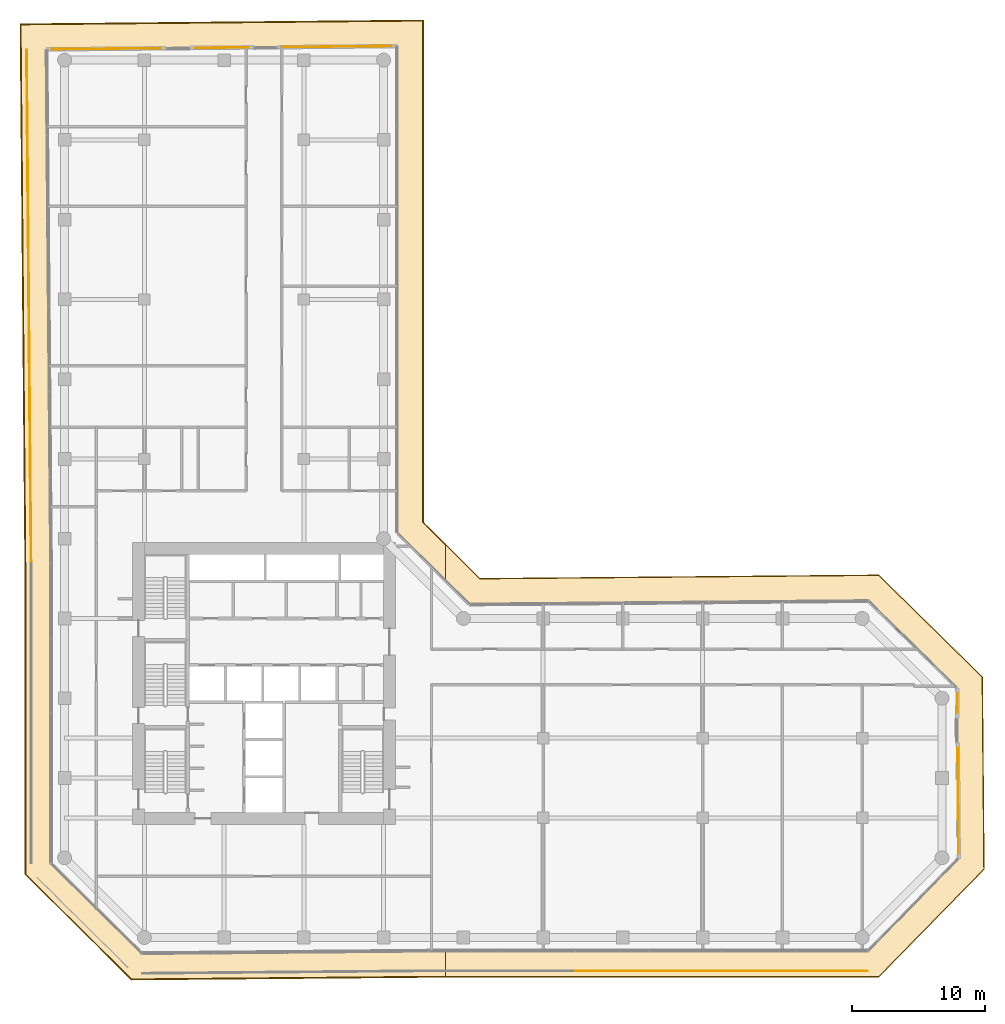
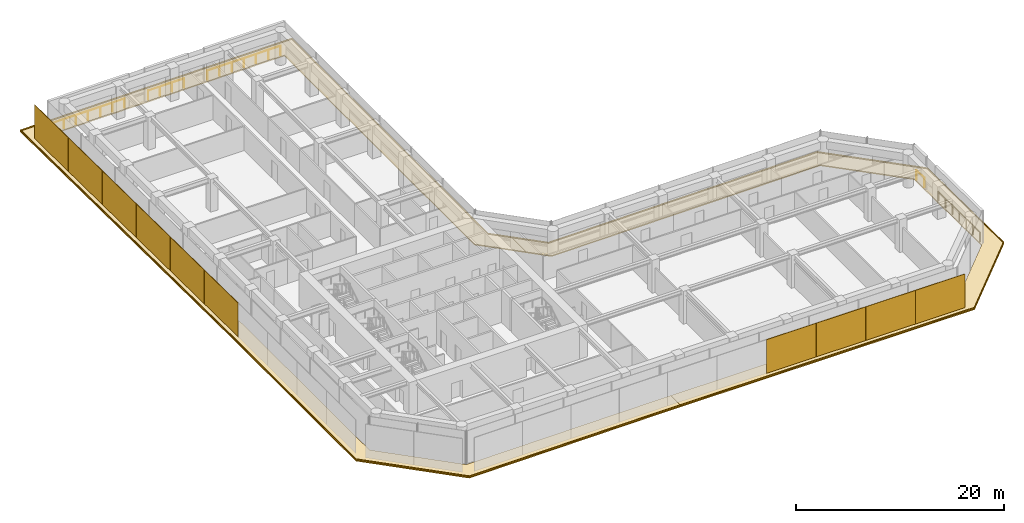
# One storey, part 28 of 28: 14 coverings, 5 railings.
"""IFC4 building model written with IfcOpenShell, lengths in metres."""

from ifc_helpers import new_model, si_unit, direction, frame, origin, origin_2d, place, context, subcontext, project, spatial, polyline, rectangle, circle, outline, extrude, material, layer, layer_set, type_object, element, save


model = new_model("IFC4")

# Units and contexts
model_context = context("Model", 3, precision=1e-05, world=origin(), true_north=direction((0.0, 1.0)))
body_context = subcontext(model_context, "Body", "Model", "MODEL_VIEW")
ifc_project = project(units=[si_unit("LENGTHUNIT", "METRE"), si_unit("AREAUNIT", "SQUARE_METRE"), si_unit("VOLUMEUNIT", "CUBIC_METRE"), si_unit("PLANEANGLEUNIT", "RADIAN"), si_unit("MASSUNIT", "GRAM", prefix="KILO")], contexts=[model_context])

# Site, building, storey
site_placement = place(None, origin())
site = spatial("IfcSite", under=ifc_project, at=site_placement, CompositionType="ELEMENT")
building_placement = place(site_placement, origin())
building = spatial("IfcBuilding", under=site, at=building_placement, Name="Welwitschia Terrace Campus", CompositionType="ELEMENT")
storey_placement = place(building_placement, frame((0.0, 0.0, 54.199951171875)))
storey = spatial("IfcBuildingStorey", under=building, at=storey_placement, Name="L12", CompositionType="ELEMENT", Elevation=54.199951171875)

# Coverings
ifc_material_1 = material(Name="Bronze mesh aluminium screen", Category="aluminium")
ifc_layer_1 = layer(ifc_material_1, 0.06005859375)
ifc_layer_set_1 = layer_set([ifc_layer_1], Name="Bronze mesh aluminium screen")
covering_type_1 = type_object("IfcCoveringType", Name="Bronze screen 60", PredefinedType="USERDEFINED", material=ifc_layer_set_1)
for number, where, z_axis, x_axis, name in (
    (1, (-2.8251953125, 59.575927734375, 0.0), (0.0, 0.0, 1.0), (0.008726535498, -0.999961923064, 0.0), "Screen L12.0.0"),
    (2, (-2.768798828125, 53.134521484375, 0.0), (0.0, 0.0, 1.0), (0.008726535498, -0.999961923064, 0.0), "Screen L12.0.1"),
    (3, (-2.712646484375, 46.693359375, 0.0), (0.0, 0.0, 1.0), (0.008726535498, -0.999961923064, 0.0), "Screen L12.0.2"),
    (4, (-2.656494140625, 40.251953125, 0.0), (0.0, 0.0, 1.0), (0.008726535498, -0.999961923064, 0.0), "Screen L12.0.3"),
    (5, (-2.600341796875, 33.810791015625, 0.0), (0.0, 0.0, 1.0), (0.008726535498, -0.999961923064, 0.0), "Screen L12.0.4"),
    (6, (-2.544189453125, 27.369384765625, 0.0), (0.0, 0.0, 1.0), (0.008726535498, -0.999961923064, 0.0), "Screen L12.0.5"),
):
    element("IfcCovering", number, at=place(storey_placement, frame(where, z_axis=z_axis, x_axis=x_axis)), inside=storey, type_object=covering_type_1, Name=name, ObjectType="SCREEN", PredefinedType="USERDEFINED", context=body_context, shape_type="SweptSolid", body=[
        extrude(rectangle(XDim=6.42138671875, YDim=0.06005859375, at=origin_2d()), origin(), (0.0, 0.0, 1.0), 3.949951171875),
    ])
for number, where, z_axis, x_axis, name in (
    (7, (41.1640625, -6.51611328125, 0.0), (0.0, 0.0, 1.0), (1.0, 0.0, 0.0), "Screen L12.4.2"),
    (8, (46.671142578125, -6.51611328125, 0.0), (0.0, 0.0, 1.0), (1.0, 0.0, 0.0), "Screen L12.4.3"),
    (9, (52.177978515625, -6.51611328125, 0.0), (0.0, 0.0, 1.0), (1.0, 0.0, 0.0), "Screen L12.4.4"),
    (10, (57.68505859375, -6.51611328125, 0.0), (0.0, 0.0, 1.0), (1.0, 0.0, 0.0), "Screen L12.4.5"),
):
    element("IfcCovering", number, at=place(storey_placement, frame(where, z_axis=z_axis, x_axis=x_axis)), inside=storey, type_object=covering_type_1, Name=name, ObjectType="SCREEN", PredefinedType="USERDEFINED", context=body_context, shape_type="SweptSolid", body=[
        extrude(rectangle(XDim=5.487060546875, YDim=0.06005859375, at=origin_2d()), origin(), (0.0, 0.0, 1.0), 3.949951171875),
    ])

# Railings
ifc_material_2 = material(Name="Stainless steel grade 316", Category="steel")
railing_type = type_object("IfcRailingType", Name="Guard 1100", PredefinedType="GUARDRAIL", material=ifc_material_2)
railing_1_placement = place(storey_placement, frame((-0.9453125, 62.8134765625, 0.0)))
element("IfcRailing", 11, at=railing_1_placement, inside=storey, type_object=railing_type, Name="Guard floor edge L12.0", PredefinedType="GUARDRAIL", context=body_context, shape_type="SweptSolid", body=[
    extrude(circle(Radius=0.02392578125, at=origin_2d()), frame((0.0, 0.0, 1.076171875), z_axis=(0.999955559063, 0.009427613693, 0.0), x_axis=(-0.009427613693, 0.999955559063, 0.0)), (0.0, 0.0, 1.0), 8.1572265625),
    extrude(circle(Radius=0.02099609375, at=origin_2d()), origin(), (0.0, 0.0, 1.0), 1.052001953125),
    extrude(circle(Radius=0.02099609375, at=origin_2d()), frame((1.359375, 0.0126953125, 0.0)), (0.0, 0.0, 1.0), 1.052001953125),
    extrude(circle(Radius=0.02099609375, at=origin_2d()), frame((2.718994140625, 0.025634765625, 0.0)), (0.0, 0.0, 1.0), 1.052001953125),
    extrude(circle(Radius=0.02099609375, at=origin_2d()), frame((4.07861328125, 0.03857421875, 0.0)), (0.0, 0.0, 1.0), 1.052001953125),
    extrude(circle(Radius=0.02099609375, at=origin_2d()), frame((5.43798828125, 0.05126953125, 0.0)), (0.0, 0.0, 1.0), 1.052001953125),
    extrude(circle(Radius=0.02099609375, at=origin_2d()), frame((6.79736328125, 0.06396484375, 0.0)), (0.0, 0.0, 1.0), 1.052001953125),
    extrude(circle(Radius=0.02099609375, at=origin_2d()), frame((8.156982421875, 0.076904296875, 0.0)), (0.0, 0.0, 1.0), 1.052001953125),
])
railing_2_placement = place(storey_placement, frame((9.837646484375, 62.9150390625, 0.0)))
element("IfcRailing", 12, at=railing_2_placement, inside=storey, type_object=railing_type, Name="Guard floor edge L12.1", PredefinedType="GUARDRAIL", context=body_context, shape_type="SweptSolid", body=[
    extrude(circle(Radius=0.02392578125, at=origin_2d()), frame((0.0, 0.0, 1.076171875), z_axis=(0.99995555217, 0.009428344764, 0.0), x_axis=(-0.009428344764, 0.99995555217, 0.0)), (0.0, 0.0, 1.0), 3.98779296875),
    extrude(circle(Radius=0.02099609375, at=origin_2d()), origin(), (0.0, 0.0, 1.0), 1.052001953125),
    extrude(circle(Radius=0.02099609375, at=origin_2d()), frame((1.3291015625, 0.012451171875, 0.0)), (0.0, 0.0, 1.0), 1.052001953125),
    extrude(circle(Radius=0.02099609375, at=origin_2d()), frame((2.658447265625, 0.025146484375, 0.0)), (0.0, 0.0, 1.0), 1.052001953125),
    extrude(circle(Radius=0.02099609375, at=origin_2d()), frame((3.987548828125, 0.03759765625, 0.0)), (0.0, 0.0, 1.0), 1.052001953125),
])
railing_3_placement = place(storey_placement, frame((16.450927734375, 62.977294921875, 0.0)))
element("IfcRailing", 13, at=railing_3_placement, inside=storey, type_object=railing_type, Name="Guard floor edge L12.2", PredefinedType="GUARDRAIL", context=body_context, shape_type="SweptSolid", body=[
    extrude(circle(Radius=0.02392578125, at=origin_2d()), frame((0.0, 0.0, 1.076171875), z_axis=(0.999955540436, 0.009429589128, 0.0), x_axis=(-0.009429589128, 0.999955540436, 0.0)), (0.0, 0.0, 1.0), 8.155517578125),
    extrude(circle(Radius=0.02099609375, at=origin_2d()), origin(), (0.0, 0.0, 1.0), 1.052001953125),
    extrude(circle(Radius=0.02099609375, at=origin_2d()), frame((1.359130859375, 0.0126953125, 0.0)), (0.0, 0.0, 1.0), 1.052001953125),
    extrude(circle(Radius=0.02099609375, at=origin_2d()), frame((2.718505859375, 0.025634765625, 0.0)), (0.0, 0.0, 1.0), 1.052001953125),
    extrude(circle(Radius=0.02099609375, at=origin_2d()), frame((4.07763671875, 0.03857421875, 0.0)), (0.0, 0.0, 1.0), 1.052001953125),
    extrude(circle(Radius=0.02099609375, at=origin_2d()), frame((5.436767578125, 0.05126953125, 0.0)), (0.0, 0.0, 1.0), 1.052001953125),
    extrude(circle(Radius=0.02099609375, at=origin_2d()), frame((6.796142578125, 0.06396484375, 0.0)), (0.0, 0.0, 1.0), 1.052001953125),
    extrude(circle(Radius=0.02099609375, at=origin_2d()), frame((8.1552734375, 0.076904296875, 0.0)), (0.0, 0.0, 1.0), 1.052001953125),
])
railing_4_placement = place(storey_placement, frame((67.14599609375, 14.372802734375, 0.0)))
element("IfcRailing", 14, at=railing_4_placement, inside=storey, type_object=railing_type, Name="Guard floor edge L12.3", PredefinedType="GUARDRAIL", context=body_context, shape_type="SweptSolid", body=[
    extrude(circle(Radius=0.02392578125, at=origin_2d()), frame((0.0, 0.0, 1.076171875), z_axis=(0.00866688625, -0.999962441836, 0.0), x_axis=(0.999962441836, 0.00866688625, 0.0)), (0.0, 0.0, 1.0), 1.492919921875),
    extrude(circle(Radius=0.02099609375, at=origin_2d()), origin(), (0.0, 0.0, 1.0), 1.052001953125),
    extrude(circle(Radius=0.02099609375, at=origin_2d()), frame((0.012939453125, -1.492919921875, 0.0)), (0.0, 0.0, 1.0), 1.052001953125),
])
railing_5_placement = place(storey_placement, frame((67.181884765625, 10.25390625, 0.0)))
element("IfcRailing", 15, at=railing_5_placement, inside=storey, type_object=railing_type, Name="Guard floor edge L12.4", PredefinedType="GUARDRAIL", context=body_context, shape_type="SweptSolid", body=[
    extrude(circle(Radius=0.02392578125, at=origin_2d()), frame((0.0, 0.0, 1.076171875), z_axis=(0.008742162456, -0.999961786568, 0.0), x_axis=(0.999961786568, 0.008742162456, 0.0)), (0.0, 0.0, 1.0), 7.93115234375),
    extrude(circle(Radius=0.02099609375, at=origin_2d()), origin(), (0.0, 0.0, 1.0), 1.052001953125),
    extrude(circle(Radius=0.02099609375, at=origin_2d()), frame((0.011474609375, -1.32177734375, 0.0)), (0.0, 0.0, 1.0), 1.052001953125),
    extrude(circle(Radius=0.02099609375, at=origin_2d()), frame((0.023193359375, -2.6435546875, 0.0)), (0.0, 0.0, 1.0), 1.052001953125),
    extrude(circle(Radius=0.02099609375, at=origin_2d()), frame((0.03466796875, -3.96533203125, 0.0)), (0.0, 0.0, 1.0), 1.052001953125),
    extrude(circle(Radius=0.02099609375, at=origin_2d()), frame((0.046142578125, -5.287353515625, 0.0)), (0.0, 0.0, 1.0), 1.052001953125),
    extrude(circle(Radius=0.02099609375, at=origin_2d()), frame((0.057861328125, -6.609130859375, 0.0)), (0.0, 0.0, 1.0), 1.052001953125),
    extrude(circle(Radius=0.02099609375, at=origin_2d()), frame((0.0693359375, -7.930908203125, 0.0)), (0.0, 0.0, 1.0), 1.052001953125),
])

# Coverings
ifc_material_3 = material(Name="Bronze anodised aluminium", Category="aluminium")
ifc_layer_2 = layer(ifc_material_3, 0.1201171875)
ifc_layer_set_2 = layer_set([ifc_layer_2], Name="Bronze anodised aluminium")
covering_type_2 = type_object("IfcCoveringType", Name="Sunshade band 2000", PredefinedType="USERDEFINED", material=ifc_layer_set_2)
covering_1_placement = place(storey_placement, frame((0.0, 0.0, -0.25)))
element("IfcCovering", 16, at=covering_1_placement, inside=storey, type_object=covering_type_2, Name="SUNSHADE L12.SW0", ObjectType="SUNSHADE", PredefinedType="USERDEFINED", context=body_context, shape_type="SweptSolid", body=[
    extrude(outline(polyline([(27.0, 27.248779296875), (28.6630859375, 25.6025390625), (28.6630859375, 22.788818359375), (25.0, 26.414306640625), (25.0, 63.0), (-1.3369140625, 62.751708984375), (-1.0, 24.161865234375), (-1.0, 1.585693359375), (5.84228515625, -5.18798828125), (27.396240234375, -5.0), (28.6630859375, -5.0), (28.6630859375, -7.0), (27.405029296875, -7.0), (5.02685546875, -7.1953125), (-3.0, 0.75146484375), (-3.0, 24.153076171875), (-3.35400390625, 64.73291015625), (27.0, 65.018798828125), (27.0, 27.248779296875)])), origin(), (0.0, 0.0, 1.0), 0.1201171875),
])
covering_2_placement = place(storey_placement, frame((0.0, 0.0, -0.25)))
element("IfcCovering", 17, at=covering_2_placement, inside=storey, type_object=covering_type_2, Name="SUNSHADE L12.SE0", ObjectType="SUNSHADE", PredefinedType="USERDEFINED", context=body_context, shape_type="SweptSolid", body=[
    extrude(outline(polyline([(31.2578125, 23.034912109375), (61.252685546875, 23.29638671875), (69.077392578125, 15.607177734375), (69.20361328125, 1.125), (61.255615234375, -7.0), (28.6630859375, -7.0), (28.6630859375, -5.0), (60.414306640625, -5.0), (67.196533203125, 1.933349609375), (67.084716796875, 14.76123046875), (60.441650390625, 21.289306640625), (30.44287109375, 21.027587890625), (28.6630859375, 22.788818359375), (28.6630859375, 25.6025390625), (31.2578125, 23.034912109375)])), origin(), (0.0, 0.0, 1.0), 0.1201171875),
])
ifc_material_4 = material(Name="Bronze anodised aluminium", Category="aluminium")
ifc_layer_3 = layer(ifc_material_4, 0.06005859375)
ifc_layer_set_3 = layer_set([ifc_layer_3], Name="Bronze anodised aluminium")
covering_type_3 = type_object("IfcCoveringType", Name="Sunshade lip 60", PredefinedType="USERDEFINED", material=ifc_layer_set_3)
covering_3_placement = place(storey_placement, frame((0.0, 0.0, -0.1298828125)))
element("IfcCovering", 18, at=covering_3_placement, inside=storey, type_object=covering_type_3, Name="SUNSHADE LIP L12.SW0.0", ObjectType="SUNSHADE", PredefinedType="USERDEFINED", context=body_context, shape_type="SweptSolid", body=[
    extrude(outline(polyline([(28.6630859375, 25.6025390625), (28.6630859375, 25.518310546875), (26.93994140625, 27.2236328125), (26.93994140625, 64.95849609375), (-3.293701171875, 64.673583984375), (-2.93994140625, 24.1533203125), (-2.93994140625, 0.776611328125), (5.05126953125, -7.135009765625), (27.40478515625, -6.93994140625), (28.6630859375, -6.93994140625), (28.6630859375, -7.0), (27.405029296875, -7.0), (5.02685546875, -7.1953125), (-3.0, 0.75146484375), (-3.0, 24.153076171875), (-3.35400390625, 64.73291015625), (27.0, 65.018798828125), (27.0, 27.248779296875), (28.6630859375, 25.6025390625)])), origin(), (0.0, 0.0, 1.0), 0.1298828125),
])
covering_4_placement = place(storey_placement, frame((0.0, 0.0, -0.1298828125)))
element("IfcCovering", 19, at=covering_4_placement, inside=storey, type_object=covering_type_3, Name="SUNSHADE LIP L12.SE0.0", ObjectType="SUNSHADE", PredefinedType="USERDEFINED", context=body_context, shape_type="SweptSolid", body=[
    extrude(outline(polyline([(61.252685546875, 23.29638671875), (69.077392578125, 15.607177734375), (69.20361328125, 1.125), (61.255615234375, -7.0), (28.6630859375, -7.0), (28.6630859375, -6.93994140625), (61.230224609375, -6.93994140625), (69.1435546875, 1.1494140625), (69.017578125, 15.581787109375), (61.228271484375, 23.236328125), (31.2333984375, 22.974609375), (28.6630859375, 25.518310546875), (28.6630859375, 25.6025390625), (31.2578125, 23.034912109375), (61.252685546875, 23.29638671875)])), origin(), (0.0, 0.0, 1.0), 0.1298828125),
])

save(model, "model.ifc")
